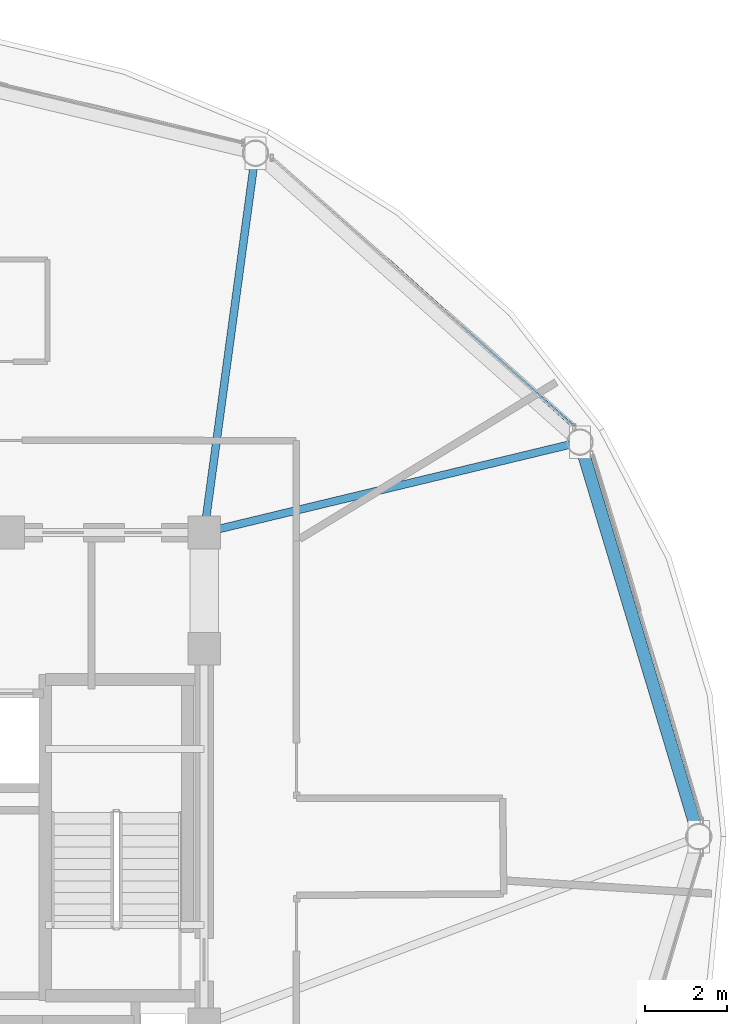
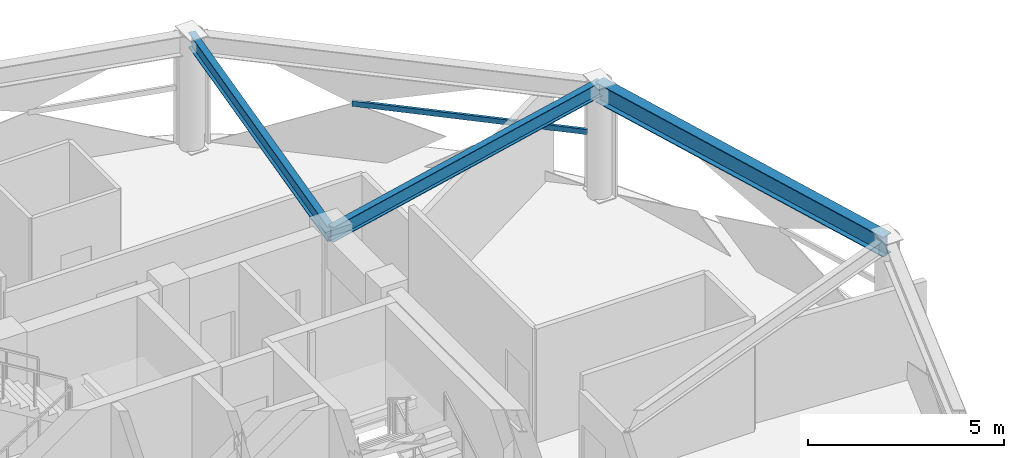
# One storey, part 14 of 28: 3 beams, 1 member, 1 element without a shape of its own.
"""IFC4 building model written with IfcOpenShell, lengths in metres."""

from ifc_helpers import new_model, si_unit, direction, frame, origin, origin_2d, place, context, subcontext, project, spatial, hollow_rectangle, i_section, extrude, material, layer, layer_set, material_profile, profile_set, type_object, element, aggregate, save


model = new_model("IFC4")

# Units and contexts
model_context = context("Model", 3, precision=1e-05, world=origin(), true_north=direction((0.0, 1.0)))
body_context = subcontext(model_context, "Body", "Model", "MODEL_VIEW")
ifc_project = project(units=[si_unit("LENGTHUNIT", "METRE"), si_unit("AREAUNIT", "SQUARE_METRE"), si_unit("VOLUMEUNIT", "CUBIC_METRE"), si_unit("PLANEANGLEUNIT", "RADIAN"), si_unit("MASSUNIT", "GRAM", prefix="KILO")], contexts=[model_context])

# Site, building, storey
site_placement = place(None, origin())
site = spatial("IfcSite", under=ifc_project, at=site_placement, CompositionType="ELEMENT")
building_placement = place(site_placement, origin())
building = spatial("IfcBuilding", under=site, at=building_placement, Name="Vantalir Tower", CompositionType="ELEMENT")
storey_placement = place(building_placement, frame((0.0, 0.0, 246.14990234375)))
storey = spatial("IfcBuildingStorey", under=building, at=storey_placement, Name="L62", CompositionType="ELEMENT", Elevation=246.14990234375)

# Beams
ifc_material_1 = material(Name="Steel S355", Category="steel")
ifc_material_profile_1 = material_profile(ifc_material_1, i_section(OverallWidth=0.19189453125, OverallDepth=0.462890625, WebThickness=0.010498046875, FlangeThickness=0.017578125, at=origin_2d()), Name="Steel S355")
ifc_profile_set_1 = profile_set([ifc_material_profile_1], Name="Steel S355")
beam_type_1 = type_object("IfcBeamType", Name="BM-RB-457x191", PredefinedType="BEAM", material=ifc_profile_set_1)
beam_1_placement = place(storey_placement, frame((50.30810546875, 34.666015625, 3.338134765625), z_axis=(-0.972239928785, -0.233986155308, 0.0), x_axis=(0.233986155308, -0.972239928785, 0.0)))
element("IfcBeam", 1, at=beam_1_placement, inside=storey, type_object=beam_type_1, Name="L62 Radial Floor Beam 02", PredefinedType="BEAM", context=body_context, shape_type="SweptSolid", body=[
    extrude(i_section(OverallWidth=0.19189453125, OverallDepth=0.462890625, WebThickness=0.010498046875, FlangeThickness=0.017578125, at=origin_2d()), origin(), (0.0, 0.0, 1.0), 9.470947265625),
])
beam_2_placement = place(storey_placement, frame((42.35888671875, 41.742919921875, 3.338134765625), z_axis=(-0.134230220125, -0.99095017433, 0.0), x_axis=(0.99095017433, -0.134230220125, 0.0)))
element("IfcBeam", 2, at=beam_2_placement, inside=storey, type_object=beam_type_1, Name="L62 Radial Floor Beam 03", PredefinedType="BEAM", context=body_context, shape_type="SweptSolid", body=[
    extrude(i_section(OverallWidth=0.19189453125, OverallDepth=0.462890625, WebThickness=0.010498046875, FlangeThickness=0.017578125, at=origin_2d()), origin(), (0.0, 0.0, 1.0), 9.3779296875),
])
ifc_material_2 = material(Name="Steel S460", Category="steel")
ifc_material_profile_2 = material_profile(ifc_material_2, i_section(OverallWidth=0.306884765625, OverallDepth=0.6201171875, WebThickness=0.01416015625, FlangeThickness=0.023681640625, at=origin_2d()), Name="Steel S460")
ifc_profile_set_2 = profile_set([ifc_material_profile_2], Name="Steel S460")
beam_type_2 = type_object("IfcBeamType", Name="BM-RG-610x305", PredefinedType="USERDEFINED", material=ifc_profile_set_2)
beam_3_placement = place(storey_placement, frame((53.218017578125, 25.0, 3.260009765625), z_axis=(-0.288266356679, 0.95755026375, 0.0), x_axis=(-0.95755026375, -0.288266356679, 0.0)))
element("IfcBeam", 3, at=beam_3_placement, inside=storey, type_object=beam_type_2, Name="L62 Circumferential Ring Girder 01", ObjectType="GIRDER", PredefinedType="USERDEFINED", context=body_context, shape_type="SweptSolid", body=[
    extrude(i_section(OverallWidth=0.306884765625, OverallDepth=0.6201171875, WebThickness=0.01416015625, FlangeThickness=0.023681640625, at=origin_2d()), origin(), (0.0, 0.0, 1.0), 10.094482421875),
])

# Curtain wall, member
ifc_material_3 = material(Name="Champagne-silver PVDF aluminium and double-silver Low-E glass", Category="aluminium")
ifc_layer = layer(ifc_material_3, 0.2099609375)
ifc_layer_set = layer_set([ifc_layer], Name="Champagne-silver PVDF aluminium and double-silver Low-E glass")
curtain_wall_type = type_object("IfcCurtainWallType", Name="CW-DIAMOND-Z3", PredefinedType="USERDEFINED", material=ifc_layer_set)
curtain_wall_placement = place(storey_placement, origin())
curtain_wall = element("IfcCurtainWall", 4, at=curtain_wall_placement, inside=storey, type_object=curtain_wall_type, Name="L62 Quilted Pyramid-Diamond Curtain Wall S02", ObjectType="UNITISED CURTAIN WALL", PredefinedType="USERDEFINED")
ifc_material_4 = material(Name="Champagne-silver PVDF aluminium 6063-T6", Category="aluminium")
ifc_material_profile_3 = material_profile(ifc_material_4, hollow_rectangle(XDim=0.074951171875, YDim=0.159912109375, WallThickness=0.00390625, at=origin_2d()), Name="Champagne-silver PVDF aluminium 6063-T6")
ifc_profile_set_3 = profile_set([ifc_material_profile_3], Name="Champagne-silver PVDF aluminium 6063-T6")
member_type = type_object("IfcMemberType", Name="CWT-160x75", PredefinedType="USERDEFINED", material=ifc_profile_set_3)
member_placement = place(storey_placement, frame((50.1669921875, 35.033935546875, 1.78515625), z_axis=(-0.743966941131, 0.668216424899, 0.0), x_axis=(-0.668216424899, -0.743966941131, 0.0)))
member = element("IfcMember", 5, at=member_placement, type_object=member_type, Name="CW-L62-S02 Pyramid Fold Ridge Transom", ObjectType="TRANSOM", PredefinedType="USERDEFINED", context=body_context, shape_type="SweptSolid", body=[
    extrude(hollow_rectangle(XDim=0.074951171875, YDim=0.159912109375, WallThickness=0.00390625, at=origin_2d()), origin(), (0.0, 0.0, 1.0), 6.1494140625),
])
aggregate(curtain_wall, [member])

save(model, "model.ifc")
